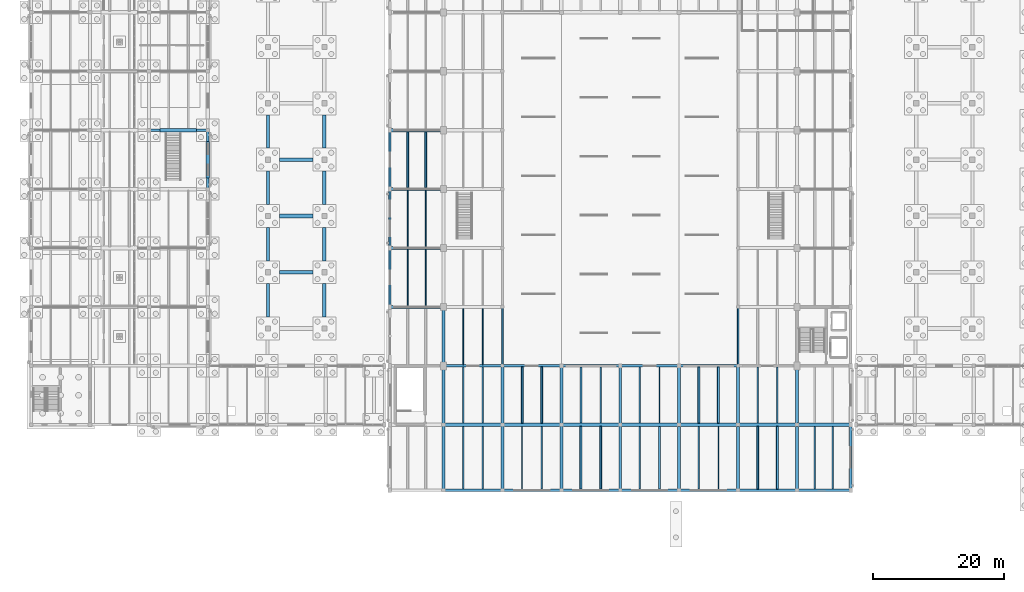
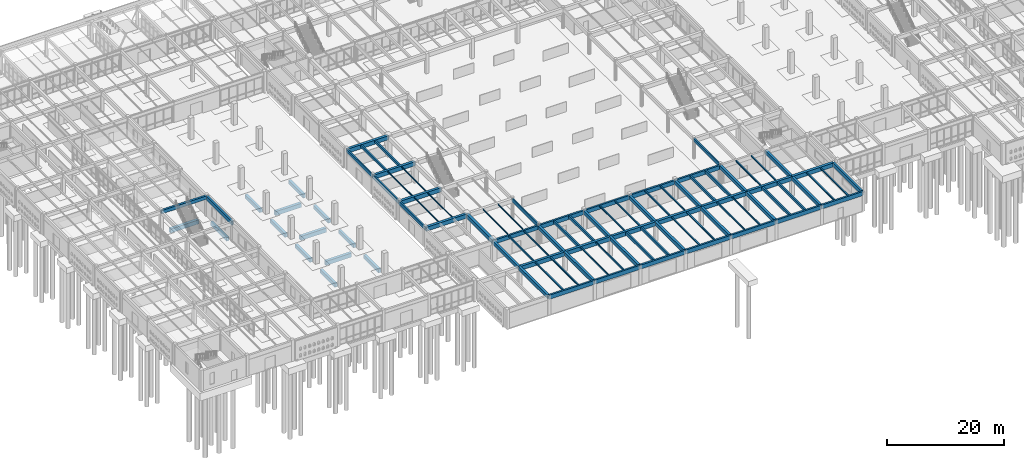
# One storey, part 44 of 186: 93 beams.
"""IFC4 building model written with IfcOpenShell, lengths in metres."""

import ifcopenshell
import ifcopenshell.guid

model = None  # the IFC model being written
_history = None  # IfcOwnerHistory: only IFC2X3 demands one
_inside = {}  # id of a spatial element -> (the spatial element, [elements in it])
_under = {}  # id of a project, library or spatial element -> (it, [spatial elements below it])
_declared = {}  # id of a project -> (the project, [libraries it declares])
_typed = {}  # id of a type object -> (the type object, [elements of that type])
_made_of = {}  # id of a material, layer set ... -> (it, [elements and type objects made of it])


def new_model(schema):
    """Start an empty IFC model of exactly this schema.

    Asked for "IFC4X3", IfcOpenShell would pick the latest addendum, in which some entities
    have other attributes; the version numbers below select the first issue.
    IFC2X3 requires an IfcOwnerHistory on every rooted entity: one is made here for all.
    """
    global model, _history
    if schema == "IFC4X3":
        model = ifcopenshell.file(schema_version=(4, 3, 0, 0))
    else:
        model = ifcopenshell.file(schema=schema)
    _inside.clear()
    _under.clear()
    _declared.clear()
    _typed.clear()
    _made_of.clear()
    _history = None
    if model.schema == "IFC2X3":
        org = make("IfcOrganization", Name="unknown")
        user = make(
            "IfcPersonAndOrganization",
            ThePerson=make("IfcPerson", FamilyName="unknown"),
            TheOrganization=org,
        )
        app = make(
            "IfcApplication",
            ApplicationDeveloper=org,
            Version="unknown",
            ApplicationFullName="unknown",
            ApplicationIdentifier="unknown",
        )
        _history = make(
            "IfcOwnerHistory",
            OwningUser=user,
            OwningApplication=app,
            ChangeAction="ADDED",
            CreationDate=0,
        )
    return model


def make(cls, **values):
    """One entity of the class cls with the attributes given. An attribute that is None is left unset."""
    return model.create_entity(
        cls, **{name: value for name, value in values.items() if value is not None}
    )


def rooted(cls, **values):
    """An entity with a GlobalId (a new one), such as an element, a storey or a relation."""
    return make(cls, GlobalId=ifcopenshell.guid.new(), OwnerHistory=_history, **values)


def si_unit(unit_type, name, prefix=None):
    """IfcSIUnit, for example si_unit("LENGTHUNIT", "METRE", prefix="MILLI")."""
    return make("IfcSIUnit", UnitType=unit_type, Prefix=prefix, Name=name)


def assignment(units):
    """IfcUnitAssignment: the units of a project."""
    return None if units is None else make("IfcUnitAssignment", Units=units)


def point(xyz):
    """IfcCartesianPoint."""
    return None if xyz is None else make("IfcCartesianPoint", Coordinates=xyz)


def direction(xyz):
    """IfcDirection."""
    return None if xyz is None else make("IfcDirection", DirectionRatios=xyz)


def frame(location, z_axis=None, x_axis=None):
    """IfcAxis2Placement3D, a coordinate frame: its origin and axes. An axis left out is left unset."""
    return make(
        "IfcAxis2Placement3D",
        Location=point(location),
        Axis=direction(z_axis),
        RefDirection=direction(x_axis),
    )


def frame_2d(location, x_axis=None):
    """IfcAxis2Placement2D, a coordinate frame in the plane: its origin and x axis."""
    return make(
        "IfcAxis2Placement2D", Location=point(location), RefDirection=direction(x_axis)
    )


def origin():
    """The frame at (0, 0, 0) with its axes left unset."""
    return frame((0.0, 0.0, 0.0))


def origin_2d():
    """The frame at (0, 0) in the plane with its x axis left unset."""
    return frame_2d((0.0, 0.0))


def place(relative_to, where):
    """IfcLocalPlacement: puts the frame where relative to a parent placement (None: the world)."""
    return make(
        "IfcLocalPlacement", PlacementRelTo=relative_to, RelativePlacement=where
    )


def context(
    kind, dimensions, precision=None, world=None, true_north=None, identifier=None
):
    """IfcGeometricRepresentationContext, for example the 3D "Model" context."""
    return make(
        "IfcGeometricRepresentationContext",
        ContextIdentifier=identifier,
        ContextType=kind,
        CoordinateSpaceDimension=dimensions,
        Precision=precision,
        WorldCoordinateSystem=world,
        TrueNorth=true_north,
    )


def subcontext(parent, identifier, kind, view, scale=None):
    """IfcGeometricRepresentationSubContext, for example "Body" below "Model"."""
    return make(
        "IfcGeometricRepresentationSubContext",
        ContextIdentifier=identifier,
        ContextType=kind,
        ParentContext=parent,
        TargetScale=scale,
        TargetView=view,
    )


def project(units=None, contexts=None):
    """IfcProject with its units and contexts."""
    return rooted(
        "IfcProject",
        Name="project",
        RepresentationContexts=contexts,
        UnitsInContext=assignment(units),
    )


def spatial(cls, under=None, at=None, **own):
    """A site, building, storey or space (cls), placed at a placement, below another one or the project."""
    s = rooted(cls, ObjectPlacement=at, **own)
    if under is not None:
        _under.setdefault(under.id(), (under, []))[1].append(s)
    return s


def profile(cls, at=None, kind="AREA", **sizes):
    """A parametric profile (cls). Its sizes go by their IFC names, for example OverallWidth=200.0."""
    return make(cls, ProfileType=kind, Position=at, **sizes)


def rectangle(**sizes):
    """IfcRectangleProfileDef."""
    return profile("IfcRectangleProfileDef", **sizes)


def hollow_rectangle(**sizes):
    """IfcRectangleHollowProfileDef."""
    return profile("IfcRectangleHollowProfileDef", **sizes)


def i_section(**sizes):
    """IfcIShapeProfileDef."""
    return profile("IfcIShapeProfileDef", **sizes)


def extrude(swept, where, along, depth):
    """IfcExtrudedAreaSolid: the profile swept, set in the frame where, extruded along a direction by depth."""
    return make(
        "IfcExtrudedAreaSolid",
        SweptArea=swept,
        Position=where,
        ExtrudedDirection=direction(along),
        Depth=depth,
    )


def shape(context_of_items, identifier, shape_type, items):
    """IfcShapeRepresentation: the items that make up one representation, for example the "Body"."""
    return make(
        "IfcShapeRepresentation",
        ContextOfItems=context_of_items,
        RepresentationIdentifier=identifier,
        RepresentationType=shape_type,
        Items=items,
    )


def material(Name=None, Category=None):
    """IfcMaterial."""
    return make("IfcMaterial", Name=Name, Category=Category)


def material_profile(
    of_material, cross_section, Name=None, Category=None, Priority=None
):
    """IfcMaterialProfile: a cross section and its material."""
    return make(
        "IfcMaterialProfile",
        Name=Name,
        Material=of_material,
        Profile=cross_section,
        Priority=Priority,
        Category=Category,
    )


def profile_set(profiles, Name=None, composite=None):
    """IfcMaterialProfileSet."""
    return make(
        "IfcMaterialProfileSet",
        Name=Name,
        MaterialProfiles=profiles,
        CompositeProfile=composite,
    )


def made_of(thing, what):
    """Note that an element or type object is made of a material, layer set ...; save() writes the relation."""
    if what is not None:
        _made_of.setdefault(what.id(), (what, []))[1].append(thing)
    return thing


def type_object(cls, material=None, **own):
    """A type object (cls), such as IfcWallType, which elements share."""
    return made_of(rooted(cls, **own), material)


def element(
    cls,
    number,
    at=None,
    inside=None,
    cuts=None,
    type_object=None,
    material=None,
    context=None,
    identifier="Body",
    shape_type=None,
    held_by="IfcProductDefinitionShape",
    body=None,
    shapes=None,
    **own,
):
    """One element of the class cls, such as IfcWall. Its Tag is "e" and its number.

    at: its placement. inside: the storey or other place that contains it. cuts: it is an
    opening in that element (IfcRelVoidsElement). A single representation is given by context,
    identifier, shape_type and body (its items); several are given by shapes. held_by: the class
    of the entity that holds the representations. save() writes the other relations.
    """
    e = rooted(cls, Tag="e%d" % number, ObjectPlacement=at, **own)
    if body is not None:
        shapes = [shape(context, identifier, shape_type, body)]
    if shapes is not None:
        e.Representation = make(held_by, Representations=shapes)
    if inside is not None:
        _inside.setdefault(inside.id(), (inside, []))[1].append(e)
    if cuts is not None:
        rooted(
            "IfcRelVoidsElement", RelatingBuildingElement=cuts, RelatedOpeningElement=e
        )
    if type_object is not None:
        _typed.setdefault(type_object.id(), (type_object, []))[1].append(e)
    return made_of(e, material)


def aggregate(whole, parts):
    """IfcRelAggregates: a whole, such as a stair, and the parts it consists of."""
    return rooted("IfcRelAggregates", RelatingObject=whole, RelatedObjects=parts)


def save(model, path):
    """Write the relations noted so far, then the file.

    IfcRelAggregates (storeys below a building ...), IfcRelContainedInSpatialStructure (elements
    in a storey), IfcRelDefinesByType, IfcRelAssociatesMaterial and IfcRelDeclares: one each for
    every whole, place, type object, material and project.
    """
    for whole, parts in _under.values():
        aggregate(whole, parts)
    for where, things in _inside.values():
        rooted(
            "IfcRelContainedInSpatialStructure",
            RelatedElements=things,
            RelatingStructure=where,
        )
    for kind, things in _typed.values():
        rooted("IfcRelDefinesByType", RelatedObjects=things, RelatingType=kind)
    for what, things in _made_of.values():
        rooted("IfcRelAssociatesMaterial", RelatedObjects=things, RelatingMaterial=what)
    for by, libraries in _declared.values():
        rooted("IfcRelDeclares", RelatingContext=by, RelatedDefinitions=libraries)
    model.write(path)


model = new_model("IFC4")

# Units and contexts
model_context = context("Model", 3, precision=1e-05, world=origin(), true_north=direction((0.0, 1.0)))
body_context = subcontext(model_context, "Body", "Model", "MODEL_VIEW")
ifc_project = project(units=[si_unit("LENGTHUNIT", "METRE"), si_unit("AREAUNIT", "SQUARE_METRE"), si_unit("VOLUMEUNIT", "CUBIC_METRE"), si_unit("PLANEANGLEUNIT", "RADIAN"), si_unit("MASSUNIT", "GRAM", prefix="KILO")], contexts=[model_context])

# Site, building, storey
site_placement = place(None, origin())
site = spatial("IfcSite", under=ifc_project, at=site_placement, CompositionType="ELEMENT")
building_placement = place(site_placement, origin())
building = spatial("IfcBuilding", under=site, at=building_placement, Name="Ornek Quay Market", CompositionType="ELEMENT")
storey_placement = place(building_placement, origin())
storey = spatial("IfcBuildingStorey", under=building, at=storey_placement, Name="L00", CompositionType="ELEMENT", Elevation=0.0)

# Beams
ifc_material_1 = material(Name="Concrete C40/50", Category="concrete")
ifc_material_profile_1 = material_profile(ifc_material_1, rectangle(XDim=0.449951171875, YDim=0.75, at=origin_2d()), Name="RC 450x750", Category="concrete")
ifc_profile_set_1 = profile_set([ifc_material_profile_1], Name="Concrete C40/50")
beam_type_1 = type_object("IfcBeamType", Name="BM-FC-450x750", PredefinedType="BEAM", material=ifc_profile_set_1)
beam_1_placement = place(storey_placement, frame((63.0, 10.0, 3.68505859375), z_axis=(0.0, 1.0, 0.0), x_axis=(-1.0, 0.0, 0.0)))
element("IfcBeam", 1, at=beam_1_placement, inside=storey, type_object=beam_type_1, Name="Primary beam B-FC1-001", PredefinedType="BEAM", context=body_context, shape_type="SweptSolid", body=[
    extrude(rectangle(XDim=0.449951171875, YDim=0.75, at=origin_2d()), origin(), (0.0, 0.0, 1.0), 10.0),
])
beam_2_placement = place(storey_placement, frame((63.0, 20.0, 3.68505859375), z_axis=(0.0, 1.0, 0.0), x_axis=(-1.0, 0.0, 0.0)))
element("IfcBeam", 2, at=beam_2_placement, inside=storey, type_object=beam_type_1, Name="Primary beam B-FC1-002", PredefinedType="BEAM", context=body_context, shape_type="SweptSolid", body=[
    extrude(rectangle(XDim=0.449951171875, YDim=0.75, at=origin_2d()), origin(), (0.0, 0.0, 1.0), 9.0),
])
beam_3_placement = place(storey_placement, frame((72.0, 10.0, 3.68505859375), z_axis=(0.0, 1.0, 0.0), x_axis=(-1.0, 0.0, 0.0)))
element("IfcBeam", 3, at=beam_3_placement, inside=storey, type_object=beam_type_1, Name="Primary beam B-FC1-003", PredefinedType="BEAM", context=body_context, shape_type="SweptSolid", body=[
    extrude(rectangle(XDim=0.449951171875, YDim=0.75, at=origin_2d()), origin(), (0.0, 0.0, 1.0), 10.0),
])
beam_4_placement = place(storey_placement, frame((72.0, 20.0, 3.68505859375), z_axis=(0.0, 1.0, 0.0), x_axis=(-1.0, 0.0, 0.0)))
element("IfcBeam", 4, at=beam_4_placement, inside=storey, type_object=beam_type_1, Name="Primary beam B-FC1-004", PredefinedType="BEAM", context=body_context, shape_type="SweptSolid", body=[
    extrude(rectangle(XDim=0.449951171875, YDim=0.75, at=origin_2d()), origin(), (0.0, 0.0, 1.0), 9.0),
])
beam_5_placement = place(storey_placement, frame((81.0, 10.0, 3.68505859375), z_axis=(0.0, 1.0, 0.0), x_axis=(-1.0, 0.0, 0.0)))
element("IfcBeam", 5, at=beam_5_placement, inside=storey, type_object=beam_type_1, Name="Primary beam B-FC1-005", PredefinedType="BEAM", context=body_context, shape_type="SweptSolid", body=[
    extrude(rectangle(XDim=0.449951171875, YDim=0.75, at=origin_2d()), origin(), (0.0, 0.0, 1.0), 10.0),
])
beam_6_placement = place(storey_placement, frame((81.0, 20.0, 3.68505859375), z_axis=(0.0, 1.0, 0.0), x_axis=(-1.0, 0.0, 0.0)))
element("IfcBeam", 6, at=beam_6_placement, inside=storey, type_object=beam_type_1, Name="Primary beam B-FC1-006", PredefinedType="BEAM", context=body_context, shape_type="SweptSolid", body=[
    extrude(rectangle(XDim=0.449951171875, YDim=0.75, at=origin_2d()), origin(), (0.0, 0.0, 1.0), 9.0),
])
beam_7_placement = place(storey_placement, frame((90.0, 10.0, 3.68505859375), z_axis=(0.0, 1.0, 0.0), x_axis=(-1.0, 0.0, 0.0)))
element("IfcBeam", 7, at=beam_7_placement, inside=storey, type_object=beam_type_1, Name="Primary beam B-FC1-007", PredefinedType="BEAM", context=body_context, shape_type="SweptSolid", body=[
    extrude(rectangle(XDim=0.449951171875, YDim=0.75, at=origin_2d()), origin(), (0.0, 0.0, 1.0), 10.0),
])
beam_8_placement = place(storey_placement, frame((90.0, 20.0, 3.68505859375), z_axis=(0.0, 1.0, 0.0), x_axis=(-1.0, 0.0, 0.0)))
element("IfcBeam", 8, at=beam_8_placement, inside=storey, type_object=beam_type_1, Name="Primary beam B-FC1-008", PredefinedType="BEAM", context=body_context, shape_type="SweptSolid", body=[
    extrude(rectangle(XDim=0.449951171875, YDim=0.75, at=origin_2d()), origin(), (0.0, 0.0, 1.0), 9.0),
])
beam_9_placement = place(storey_placement, frame((99.0, 10.0, 3.68505859375), z_axis=(0.0, 1.0, 0.0), x_axis=(-1.0, 0.0, 0.0)))
element("IfcBeam", 9, at=beam_9_placement, inside=storey, type_object=beam_type_1, Name="Primary beam B-FC1-009", PredefinedType="BEAM", context=body_context, shape_type="SweptSolid", body=[
    extrude(rectangle(XDim=0.449951171875, YDim=0.75, at=origin_2d()), origin(), (0.0, 0.0, 1.0), 10.0),
])
beam_10_placement = place(storey_placement, frame((99.0, 20.0, 3.68505859375), z_axis=(0.0, 1.0, 0.0), x_axis=(-1.0, 0.0, 0.0)))
element("IfcBeam", 10, at=beam_10_placement, inside=storey, type_object=beam_type_1, Name="Primary beam B-FC1-010", PredefinedType="BEAM", context=body_context, shape_type="SweptSolid", body=[
    extrude(rectangle(XDim=0.449951171875, YDim=0.75, at=origin_2d()), origin(), (0.0, 0.0, 1.0), 9.0),
])
beam_11_placement = place(storey_placement, frame((108.0, 10.0, 3.68505859375), z_axis=(0.0, 1.0, 0.0), x_axis=(-1.0, 0.0, 0.0)))
element("IfcBeam", 11, at=beam_11_placement, inside=storey, type_object=beam_type_1, Name="Primary beam B-FC1-011", PredefinedType="BEAM", context=body_context, shape_type="SweptSolid", body=[
    extrude(rectangle(XDim=0.449951171875, YDim=0.75, at=origin_2d()), origin(), (0.0, 0.0, 1.0), 10.0),
])
beam_12_placement = place(storey_placement, frame((108.0, 20.0, 3.68505859375), z_axis=(0.0, 1.0, 0.0), x_axis=(-1.0, 0.0, 0.0)))
element("IfcBeam", 12, at=beam_12_placement, inside=storey, type_object=beam_type_1, Name="Primary beam B-FC1-012", PredefinedType="BEAM", context=body_context, shape_type="SweptSolid", body=[
    extrude(rectangle(XDim=0.449951171875, YDim=0.75, at=origin_2d()), origin(), (0.0, 0.0, 1.0), 9.0),
])
beam_13_placement = place(storey_placement, frame((117.0, 10.0, 3.68505859375), z_axis=(0.0, 1.0, 0.0), x_axis=(-1.0, 0.0, 0.0)))
element("IfcBeam", 13, at=beam_13_placement, inside=storey, type_object=beam_type_1, Name="Primary beam B-FC1-013", PredefinedType="BEAM", context=body_context, shape_type="SweptSolid", body=[
    extrude(rectangle(XDim=0.449951171875, YDim=0.75, at=origin_2d()), origin(), (0.0, 0.0, 1.0), 10.0),
])
beam_14_placement = place(storey_placement, frame((117.0, 20.0, 3.68505859375), z_axis=(0.0, 1.0, 0.0), x_axis=(-1.0, 0.0, 0.0)))
element("IfcBeam", 14, at=beam_14_placement, inside=storey, type_object=beam_type_1, Name="Primary beam B-FC1-014", PredefinedType="BEAM", context=body_context, shape_type="SweptSolid", body=[
    extrude(rectangle(XDim=0.449951171875, YDim=0.75, at=origin_2d()), origin(), (0.0, 0.0, 1.0), 9.0),
])
ifc_material_profile_2 = material_profile(ifc_material_1, rectangle(XDim=0.5, YDim=0.85009765625, at=origin_2d()), Name="RC 500x850", Category="concrete")
ifc_profile_set_2 = profile_set([ifc_material_profile_2], Name="Concrete C40/50")
beam_type_2 = type_object("IfcBeamType", Name="BM-GAL-500x850", PredefinedType="BEAM", material=ifc_profile_set_2)
for number, where, z_axis, x_axis, name in (
    (15, (63.0, 20.0, 3.635009765625), (1.0, 0.0, 0.0), (0.0, 1.0, 0.0), "Primary beam B-GL1-002"),
    (16, (72.0, 20.0, 3.635009765625), (1.0, 0.0, 0.0), (0.0, 1.0, 0.0), "Primary beam B-GL1-003"),
    (17, (81.0, 20.0, 3.635009765625), (1.0, 0.0, 0.0), (0.0, 1.0, 0.0), "Primary beam B-GL1-004"),
    (18, (90.0, 20.0, 3.635009765625), (1.0, 0.0, 0.0), (0.0, 1.0, 0.0), "Primary beam B-GL1-005"),
    (19, (99.0, 20.0, 3.635009765625), (1.0, 0.0, 0.0), (0.0, 1.0, 0.0), "Primary beam B-GL1-006"),
    (20, (108.0, 20.0, 3.635009765625), (1.0, 0.0, 0.0), (0.0, 1.0, 0.0), "Primary beam B-GL1-007"),
):
    element("IfcBeam", number, at=place(storey_placement, frame(where, z_axis=z_axis, x_axis=x_axis)), inside=storey, type_object=beam_type_2, Name=name, PredefinedType="BEAM", context=body_context, shape_type="SweptSolid", body=[
        extrude(rectangle(XDim=0.5, YDim=0.85009765625, at=origin_2d()), origin(), (0.0, 0.0, 1.0), 9.0),
    ])
for number, where, z_axis, x_axis, name in (
    (21, (117.0, 20.0, 3.635009765625), (1.0, 0.0, 0.0), (0.0, 1.0, 0.0), "Primary beam B-GL1-008"),
    (22, (54.800048828125, 38.0, 3.81494140625), (1.0, 0.0, 0.0), (0.0, 1.0, 0.0), "Primary beam B-GL1-009"),
    (23, (54.800048828125, 47.0, 3.81494140625), (1.0, 0.0, 0.0), (0.0, 1.0, 0.0), "Primary beam B-GL1-011"),
    (24, (54.800048828125, 56.0, 3.81494140625), (1.0, 0.0, 0.0), (0.0, 1.0, 0.0), "Primary beam B-GL1-013"),
    (25, (54.800048828125, 65.0, 3.81494140625), (1.0, 0.0, 0.0), (0.0, 1.0, 0.0), "Primary beam B-GL1-015"),
):
    element("IfcBeam", number, at=place(storey_placement, frame(where, z_axis=z_axis, x_axis=x_axis)), inside=storey, type_object=beam_type_2, Name=name, PredefinedType="BEAM", context=body_context, shape_type="SweptSolid", body=[
        extrude(rectangle(XDim=0.5, YDim=0.85009765625, at=origin_2d()), origin(), (0.0, 0.0, 1.0), 8.199951171875),
    ])
beam_15_placement = place(storey_placement, frame((63.0, 29.0, 3.81494140625), z_axis=(0.0, 1.0, 0.0), x_axis=(-1.0, 0.0, 0.0)))
element("IfcBeam", 26, at=beam_15_placement, inside=storey, type_object=beam_type_2, Name="Primary beam B-GL1-021", PredefinedType="BEAM", context=body_context, shape_type="SweptSolid", body=[
    extrude(rectangle(XDim=0.5, YDim=0.85009765625, at=origin_2d()), origin(), (0.0, 0.0, 1.0), 9.0),
])
ifc_material_2 = material(Name="Concrete C35/45", Category="concrete")
ifc_material_profile_3 = material_profile(ifc_material_2, rectangle(XDim=0.5, YDim=0.75, at=origin_2d()), Name="RC 500x750", Category="concrete")
ifc_profile_set_3 = profile_set([ifc_material_profile_3], Name="Concrete C35/45")
beam_type_3 = type_object("IfcBeamType", Name="BM-GB-500x750", PredefinedType="BEAM", material=ifc_profile_set_3)
beam_16_placement = place(storey_placement, frame((27.0, 57.699951171875, -0.574951171875), z_axis=(0.0, 1.0, 0.0), x_axis=(-1.0, 0.0, 0.0)))
element("IfcBeam", 27, at=beam_16_placement, inside=storey, type_object=beam_type_3, Name="Ground tie beam GB-081", PredefinedType="BEAM", context=body_context, shape_type="SweptSolid", body=[
    extrude(rectangle(XDim=0.5, YDim=0.75, at=origin_2d()), origin(), (0.0, 0.0, 1.0), 5.60009765625),
])
beam_17_placement = place(storey_placement, frame((36.199951171875, 36.449951171875, -0.574951171875), z_axis=(0.0, 1.0, 0.0), x_axis=(-1.0, 0.0, 0.0)))
element("IfcBeam", 28, at=beam_17_placement, inside=storey, type_object=beam_type_3, Name="Ground tie beam GB-093", PredefinedType="BEAM", context=body_context, shape_type="SweptSolid", body=[
    extrude(rectangle(XDim=0.5, YDim=0.75, at=origin_2d()), origin(), (0.0, 0.0, 1.0), 5.10009765625),
])
beam_18_placement = place(storey_placement, frame((36.199951171875, 45.050048828125, -0.574951171875), z_axis=(0.0, 1.0, 0.0), x_axis=(-1.0, 0.0, 0.0)))
element("IfcBeam", 29, at=beam_18_placement, inside=storey, type_object=beam_type_3, Name="Ground tie beam GB-094", PredefinedType="BEAM", context=body_context, shape_type="SweptSolid", body=[
    extrude(rectangle(XDim=0.5, YDim=0.75, at=origin_2d()), origin(), (0.0, 0.0, 1.0), 5.099853515625),
])
for number, where, z_axis, x_axis, name in (
    (30, (36.199951171875, 53.64990234375, -0.574951171875), (0.0, 1.0, 0.0), (-1.0, 0.0, 0.0), "Ground tie beam GB-095"),
    (31, (36.199951171875, 62.25, -0.574951171875), (0.0, 1.0, 0.0), (-1.0, 0.0, 0.0), "Ground tie beam GB-096"),
    (32, (44.800048828125, 36.449951171875, -0.574951171875), (0.0, 1.0, 0.0), (-1.0, 0.0, 0.0), "Ground tie beam GB-099"),
):
    element("IfcBeam", number, at=place(storey_placement, frame(where, z_axis=z_axis, x_axis=x_axis)), inside=storey, type_object=beam_type_3, Name=name, PredefinedType="BEAM", context=body_context, shape_type="SweptSolid", body=[
        extrude(rectangle(XDim=0.5, YDim=0.75, at=origin_2d()), origin(), (0.0, 0.0, 1.0), 5.10009765625),
    ])
beam_19_placement = place(storey_placement, frame((44.800048828125, 45.050048828125, -0.574951171875), z_axis=(0.0, 1.0, 0.0), x_axis=(-1.0, 0.0, 0.0)))
element("IfcBeam", 33, at=beam_19_placement, inside=storey, type_object=beam_type_3, Name="Ground tie beam GB-100", PredefinedType="BEAM", context=body_context, shape_type="SweptSolid", body=[
    extrude(rectangle(XDim=0.5, YDim=0.75, at=origin_2d()), origin(), (0.0, 0.0, 1.0), 5.099853515625),
])
for number, where, z_axis, x_axis, name in (
    (34, (44.800048828125, 53.64990234375, -0.574951171875), (0.0, 1.0, 0.0), (-1.0, 0.0, 0.0), "Ground tie beam GB-101"),
    (35, (44.800048828125, 62.25, -0.574951171875), (0.0, 1.0, 0.0), (-1.0, 0.0, 0.0), "Ground tie beam GB-102"),
):
    element("IfcBeam", number, at=place(storey_placement, frame(where, z_axis=z_axis, x_axis=x_axis)), inside=storey, type_object=beam_type_3, Name=name, PredefinedType="BEAM", context=body_context, shape_type="SweptSolid", body=[
        extrude(rectangle(XDim=0.5, YDim=0.75, at=origin_2d()), origin(), (0.0, 0.0, 1.0), 5.10009765625),
    ])
ifc_material_profile_4 = material_profile(ifc_material_2, rectangle(XDim=0.550048828125, YDim=0.85009765625, at=origin_2d()), Name="RC 550x850", Category="concrete")
ifc_profile_set_4 = profile_set([ifc_material_profile_4], Name="Concrete C35/45")
beam_type_4 = type_object("IfcBeamType", Name="BM-GB-550x850", PredefinedType="BEAM", material=ifc_profile_set_4)
for number, where, z_axis, x_axis, name in (
    (36, (37.949951171875, 43.300048828125, -0.625), (1.0, 0.0, 0.0), (0.0, 1.0, 0.0), "Ground tie beam GB-013"),
    (37, (37.949951171875, 51.89990234375, -0.625), (1.0, 0.0, 0.0), (0.0, 1.0, 0.0), "Ground tie beam GB-017"),
    (38, (37.949951171875, 60.5, -0.625), (1.0, 0.0, 0.0), (0.0, 1.0, 0.0), "Ground tie beam GB-021"),
):
    element("IfcBeam", number, at=place(storey_placement, frame(where, z_axis=z_axis, x_axis=x_axis)), inside=storey, type_object=beam_type_4, Name=name, PredefinedType="BEAM", context=body_context, shape_type="SweptSolid", body=[
        extrude(rectangle(XDim=0.550048828125, YDim=0.85009765625, at=origin_2d()), origin(), (0.0, 0.0, 1.0), 5.10009765625),
    ])
beam_20_placement = place(storey_placement, frame((19.699951171875, 65.0, -0.625), z_axis=(1.0, 0.0, 0.0), x_axis=(0.0, 1.0, 0.0)))
element("IfcBeam", 39, at=beam_20_placement, inside=storey, type_object=beam_type_4, Name="Ground tie beam GB-024", PredefinedType="BEAM", context=body_context, shape_type="SweptSolid", body=[
    extrude(rectangle(XDim=0.550048828125, YDim=0.85009765625, at=origin_2d()), origin(), (0.0, 0.0, 1.0), 5.60009765625),
])
ifc_material_3 = material(Name="Steel S355", Category="steel")
ifc_material_profile_5 = material_profile(ifc_material_3, hollow_rectangle(XDim=0.199951171875, YDim=0.300048828125, WallThickness=0.011962890625, at=origin_2d()), Name="RHS 300x200x12", Category="steel")
ifc_profile_set_5 = profile_set([ifc_material_profile_5], Name="Steel S355")
beam_type_5 = type_object("IfcBeamType", Name="BM-RHS-RHS300x200x12", PredefinedType="BEAM", material=ifc_profile_set_5)
for number, where, z_axis, x_axis, name in (
    (40, (66.0, 20.241943359375, 3.909912109375), (0.0, 1.0, 0.0), (-1.0, 0.0, 0.0), "Secondary joist SR-06-001"),
    (41, (69.0, 20.241943359375, 3.909912109375), (0.0, 1.0, 0.0), (-1.0, 0.0, 0.0), "Secondary joist SR-06-002"),
):
    element("IfcBeam", number, at=place(storey_placement, frame(where, z_axis=z_axis, x_axis=x_axis)), inside=storey, type_object=beam_type_5, Name=name, PredefinedType="BEAM", context=body_context, shape_type="SweptSolid", body=[
        extrude(hollow_rectangle(XDim=0.199951171875, YDim=0.300048828125, WallThickness=0.011962890625, at=origin_2d()), origin(), (0.0, 0.0, 1.0), 8.591064453125),
    ])
for number, where, z_axis, x_axis, name in (
    (42, (75.0, 10.1669921875, 3.909912109375), (0.0, 1.0, 0.0), (-1.0, 0.0, 0.0), "Secondary joist SR-06-003"),
    (43, (78.0, 10.1669921875, 3.909912109375), (0.0, 1.0, 0.0), (-1.0, 0.0, 0.0), "Secondary joist SR-06-004"),
):
    element("IfcBeam", number, at=place(storey_placement, frame(where, z_axis=z_axis, x_axis=x_axis)), inside=storey, type_object=beam_type_5, Name=name, PredefinedType="BEAM", context=body_context, shape_type="SweptSolid", body=[
        extrude(hollow_rectangle(XDim=0.199951171875, YDim=0.300048828125, WallThickness=0.011962890625, at=origin_2d()), origin(), (0.0, 0.0, 1.0), 9.591064453125),
    ])
for number, where, z_axis, x_axis, name in (
    (44, (93.0, 20.241943359375, 3.909912109375), (0.0, 1.0, 0.0), (-1.0, 0.0, 0.0), "Secondary joist SR-06-005"),
    (45, (96.0, 20.241943359375, 3.909912109375), (0.0, 1.0, 0.0), (-1.0, 0.0, 0.0), "Secondary joist SR-06-006"),
):
    element("IfcBeam", number, at=place(storey_placement, frame(where, z_axis=z_axis, x_axis=x_axis)), inside=storey, type_object=beam_type_5, Name=name, PredefinedType="BEAM", context=body_context, shape_type="SweptSolid", body=[
        extrude(hollow_rectangle(XDim=0.199951171875, YDim=0.300048828125, WallThickness=0.011962890625, at=origin_2d()), origin(), (0.0, 0.0, 1.0), 8.591064453125),
    ])
for number, where, z_axis, x_axis, name in (
    (46, (102.0, 10.1669921875, 3.909912109375), (0.0, 1.0, 0.0), (-1.0, 0.0, 0.0), "Secondary joist SR-06-007"),
    (47, (105.0, 10.1669921875, 3.909912109375), (0.0, 1.0, 0.0), (-1.0, 0.0, 0.0), "Secondary joist SR-06-008"),
):
    element("IfcBeam", number, at=place(storey_placement, frame(where, z_axis=z_axis, x_axis=x_axis)), inside=storey, type_object=beam_type_5, Name=name, PredefinedType="BEAM", context=body_context, shape_type="SweptSolid", body=[
        extrude(hollow_rectangle(XDim=0.199951171875, YDim=0.300048828125, WallThickness=0.011962890625, at=origin_2d()), origin(), (0.0, 0.0, 1.0), 9.591064453125),
    ])
ifc_material_profile_6 = material_profile(ifc_material_2, rectangle(XDim=0.280029296875, YDim=0.5, at=origin_2d()), Name="RC 280x500", Category="concrete")
ifc_profile_set_6 = profile_set([ifc_material_profile_6], Name="Concrete C35/45")
beam_type_6 = type_object("IfcBeamType", Name="BM-SEC-280x500", PredefinedType="JOIST", material=ifc_profile_set_6)
for number, where, z_axis, x_axis, name in (
    (48, (57.533203125, 56.241943359375, 3.989990234375), (0.0, 1.0, 0.0), (-1.0, 0.0, 0.0), "Secondary joist B-SC2-041"),
    (49, (60.2666015625, 56.241943359375, 3.989990234375), (0.0, 1.0, 0.0), (-1.0, 0.0, 0.0), "Secondary joist B-SC2-042"),
):
    element("IfcBeam", number, at=place(storey_placement, frame(where, z_axis=z_axis, x_axis=x_axis)), inside=storey, type_object=beam_type_6, Name=name, PredefinedType="JOIST", context=body_context, shape_type="SweptSolid", body=[
        extrude(rectangle(XDim=0.280029296875, YDim=0.5, at=origin_2d()), origin(), (0.0, 0.0, 1.0), 8.51611328125),
    ])
ifc_material_profile_7 = material_profile(ifc_material_2, rectangle(XDim=0.300048828125, YDim=0.550048828125, at=origin_2d()), Name="RC 300x550", Category="concrete")
ifc_profile_set_7 = profile_set([ifc_material_profile_7], Name="Concrete C35/45")
beam_type_7 = type_object("IfcBeamType", Name="BM-SEC-300x550", PredefinedType="JOIST", material=ifc_profile_set_7)
for number, where, z_axis, x_axis, name in (
    (50, (75.0, 20.241943359375, 3.784912109375), (0.0, 1.0, 0.0), (-1.0, 0.0, 0.0), "Secondary joist B-SC1-035"),
    (51, (78.0, 20.241943359375, 3.784912109375), (0.0, 1.0, 0.0), (-1.0, 0.0, 0.0), "Secondary joist B-SC1-036"),
):
    element("IfcBeam", number, at=place(storey_placement, frame(where, z_axis=z_axis, x_axis=x_axis)), inside=storey, type_object=beam_type_7, Name=name, PredefinedType="JOIST", context=body_context, shape_type="SweptSolid", body=[
        extrude(rectangle(XDim=0.300048828125, YDim=0.550048828125, at=origin_2d()), origin(), (0.0, 0.0, 1.0), 8.591064453125),
    ])
for number, where, z_axis, x_axis, name in (
    (52, (84.0, 10.1669921875, 3.784912109375), (0.0, 1.0, 0.0), (-1.0, 0.0, 0.0), "Secondary joist B-SC1-037"),
    (53, (87.0, 10.1669921875, 3.784912109375), (0.0, 1.0, 0.0), (-1.0, 0.0, 0.0), "Secondary joist B-SC1-038"),
):
    element("IfcBeam", number, at=place(storey_placement, frame(where, z_axis=z_axis, x_axis=x_axis)), inside=storey, type_object=beam_type_7, Name=name, PredefinedType="JOIST", context=body_context, shape_type="SweptSolid", body=[
        extrude(rectangle(XDim=0.300048828125, YDim=0.550048828125, at=origin_2d()), origin(), (0.0, 0.0, 1.0), 9.591064453125),
    ])
for number, where, z_axis, x_axis, name in (
    (54, (102.0, 20.241943359375, 3.784912109375), (0.0, 1.0, 0.0), (-1.0, 0.0, 0.0), "Secondary joist B-SC1-039"),
    (55, (105.0, 20.241943359375, 3.784912109375), (0.0, 1.0, 0.0), (-1.0, 0.0, 0.0), "Secondary joist B-SC1-040"),
):
    element("IfcBeam", number, at=place(storey_placement, frame(where, z_axis=z_axis, x_axis=x_axis)), inside=storey, type_object=beam_type_7, Name=name, PredefinedType="JOIST", context=body_context, shape_type="SweptSolid", body=[
        extrude(rectangle(XDim=0.300048828125, YDim=0.550048828125, at=origin_2d()), origin(), (0.0, 0.0, 1.0), 8.591064453125),
    ])
for number, where, z_axis, x_axis, name in (
    (56, (111.0, 10.1669921875, 3.784912109375), (0.0, 1.0, 0.0), (-1.0, 0.0, 0.0), "Secondary joist B-SC1-041"),
    (57, (114.0, 10.1669921875, 3.784912109375), (0.0, 1.0, 0.0), (-1.0, 0.0, 0.0), "Secondary joist B-SC1-042"),
):
    element("IfcBeam", number, at=place(storey_placement, frame(where, z_axis=z_axis, x_axis=x_axis)), inside=storey, type_object=beam_type_7, Name=name, PredefinedType="JOIST", context=body_context, shape_type="SweptSolid", body=[
        extrude(rectangle(XDim=0.300048828125, YDim=0.550048828125, at=origin_2d()), origin(), (0.0, 0.0, 1.0), 9.591064453125),
    ])
ifc_material_profile_8 = material_profile(ifc_material_2, rectangle(XDim=0.280029296875, YDim=0.699951171875, at=origin_2d()), Name="RC 280x700", Category="concrete")
ifc_profile_set_8 = profile_set([ifc_material_profile_8], Name="Concrete C35/45")
beam_type_8 = type_object("IfcBeamType", Name="BM-SPN-280x700", PredefinedType="SPANDREL", material=ifc_profile_set_8)
for number, where, z_axis, x_axis, name in (
    (58, (54.800048828125, 38.0, 3.889892578125), (0.0, 1.0, 0.0), (-1.0, 0.0, 0.0), "Primary beam B-SP2-020"),
    (59, (54.800048828125, 47.0, 3.889892578125), (0.0, 1.0, 0.0), (-1.0, 0.0, 0.0), "Primary beam B-SP2-021"),
    (60, (54.800048828125, 56.0, 3.889892578125), (0.0, 1.0, 0.0), (-1.0, 0.0, 0.0), "Primary beam B-SP2-022"),
    (61, (72.0, 29.0, 3.889892578125), (0.0, 1.0, 0.0), (-1.0, 0.0, 0.0), "Primary beam B-SP2-026"),
    (62, (108.0, 29.0, 3.889892578125), (0.0, 1.0, 0.0), (-1.0, 0.0, 0.0), "Primary beam B-SP2-035"),
):
    element("IfcBeam", number, at=place(storey_placement, frame(where, z_axis=z_axis, x_axis=x_axis)), inside=storey, type_object=beam_type_8, Name=name, PredefinedType="SPANDREL", context=body_context, shape_type="SweptSolid", body=[
        extrude(rectangle(XDim=0.280029296875, YDim=0.699951171875, at=origin_2d()), origin(), (0.0, 0.0, 1.0), 9.0),
    ])
ifc_material_profile_9 = material_profile(ifc_material_1, rectangle(XDim=0.35009765625, YDim=0.85009765625, at=origin_2d()), Name="RC 350x850", Category="concrete")
ifc_profile_set_9 = profile_set([ifc_material_profile_9], Name="Concrete C40/50")
beam_type_9 = type_object("IfcBeamType", Name="BM-SPN-350x850", PredefinedType="SPANDREL", material=ifc_profile_set_9)
for number, where, z_axis, x_axis, name in (
    (63, (27.0, 56.0, 3.794921875), (0.0, 1.0, 0.0), (-1.0, 0.0, 0.0), "Primary beam B-SP1-064"),
    (64, (63.0, 10.0, 3.635009765625), (1.0, 0.0, 0.0), (0.0, 1.0, 0.0), "Primary beam B-SP1-071"),
    (65, (72.0, 10.0, 3.635009765625), (1.0, 0.0, 0.0), (0.0, 1.0, 0.0), "Primary beam B-SP1-072"),
    (66, (81.0, 10.0, 3.635009765625), (1.0, 0.0, 0.0), (0.0, 1.0, 0.0), "Primary beam B-SP1-073"),
    (67, (90.0, 10.0, 3.635009765625), (1.0, 0.0, 0.0), (0.0, 1.0, 0.0), "Primary beam B-SP1-074"),
    (68, (99.0, 10.0, 3.635009765625), (1.0, 0.0, 0.0), (0.0, 1.0, 0.0), "Primary beam B-SP1-075"),
    (69, (108.0, 10.0, 3.635009765625), (1.0, 0.0, 0.0), (0.0, 1.0, 0.0), "Primary beam B-SP1-076"),
):
    element("IfcBeam", number, at=place(storey_placement, frame(where, z_axis=z_axis, x_axis=x_axis)), inside=storey, type_object=beam_type_9, Name=name, PredefinedType="SPANDREL", context=body_context, shape_type="SweptSolid", body=[
        extrude(rectangle(XDim=0.35009765625, YDim=0.85009765625, at=origin_2d()), origin(), (0.0, 0.0, 1.0), 9.0),
    ])
beam_21_placement = place(storey_placement, frame((117.0, 10.0, 3.635009765625), z_axis=(1.0, 0.0, 0.0), x_axis=(0.0, 1.0, 0.0)))
element("IfcBeam", 70, at=beam_21_placement, inside=storey, type_object=beam_type_9, Name="Primary beam B-SP1-077", PredefinedType="SPANDREL", context=body_context, shape_type="SweptSolid", body=[
    extrude(rectangle(XDim=0.35009765625, YDim=0.85009765625, at=origin_2d()), origin(), (0.0, 0.0, 1.0), 8.199951171875),
])
for number, where, z_axis, x_axis, name in (
    (71, (63.0, 29.0, 3.635009765625), (1.0, 0.0, 0.0), (0.0, 1.0, 0.0), "Primary beam B-SP1-079"),
    (72, (72.0, 29.0, 3.635009765625), (1.0, 0.0, 0.0), (0.0, 1.0, 0.0), "Primary beam B-SP1-080"),
    (73, (81.0, 29.0, 3.635009765625), (1.0, 0.0, 0.0), (0.0, 1.0, 0.0), "Primary beam B-SP1-081"),
    (74, (90.0, 29.0, 3.635009765625), (1.0, 0.0, 0.0), (0.0, 1.0, 0.0), "Primary beam B-SP1-082"),
    (75, (99.0, 29.0, 3.635009765625), (1.0, 0.0, 0.0), (0.0, 1.0, 0.0), "Primary beam B-SP1-083"),
):
    element("IfcBeam", number, at=place(storey_placement, frame(where, z_axis=z_axis, x_axis=x_axis)), inside=storey, type_object=beam_type_9, Name=name, PredefinedType="SPANDREL", context=body_context, shape_type="SweptSolid", body=[
        extrude(rectangle(XDim=0.35009765625, YDim=0.85009765625, at=origin_2d()), origin(), (0.0, 0.0, 1.0), 9.0),
    ])
beam_22_placement = place(storey_placement, frame((125.199951171875, 10.0, 3.635009765625), z_axis=(0.0, 1.0, 0.0), x_axis=(-1.0, 0.0, 0.0)))
element("IfcBeam", 76, at=beam_22_placement, inside=storey, type_object=beam_type_9, Name="Primary beam B-SP1-088", PredefinedType="SPANDREL", context=body_context, shape_type="SweptSolid", body=[
    extrude(rectangle(XDim=0.35009765625, YDim=0.85009765625, at=origin_2d()), origin(), (0.0, 0.0, 1.0), 10.0),
])
ifc_material_profile_10 = material_profile(ifc_material_3, i_section(OverallWidth=0.239990234375, OverallDepth=0.239990234375, WebThickness=0.010009765625, FlangeThickness=0.01708984375, FilletRadius=0.02099609375, at=origin_2d()), Name="HEB 240", Category="steel")
ifc_profile_set_10 = profile_set([ifc_material_profile_10], Name="Steel S355")
beam_type_10 = type_object("IfcBeamType", Name="BM-STL-HEB240", PredefinedType="BEAM", material=ifc_profile_set_10)
for number, where, z_axis, x_axis, name in (
    (77, (66.0, 10.1669921875, 3.93994140625), (0.0, 1.0, 0.0), (-1.0, 0.0, 0.0), "Secondary joist SB-21-001"),
    (78, (69.0, 10.1669921875, 3.93994140625), (0.0, 1.0, 0.0), (-1.0, 0.0, 0.0), "Secondary joist SB-21-002"),
):
    element("IfcBeam", number, at=place(storey_placement, frame(where, z_axis=z_axis, x_axis=x_axis)), inside=storey, type_object=beam_type_10, Name=name, PredefinedType="BEAM", context=body_context, shape_type="SweptSolid", body=[
        extrude(i_section(OverallWidth=0.239990234375, OverallDepth=0.239990234375, WebThickness=0.010009765625, FlangeThickness=0.01708984375, FilletRadius=0.02099609375, at=origin_2d()), origin(), (0.0, 0.0, 1.0), 9.591064453125),
    ])
for number, where, z_axis, x_axis, name in (
    (79, (84.0, 20.241943359375, 3.93994140625), (0.0, 1.0, 0.0), (-1.0, 0.0, 0.0), "Secondary joist SB-21-003"),
    (80, (87.0, 20.241943359375, 3.93994140625), (0.0, 1.0, 0.0), (-1.0, 0.0, 0.0), "Secondary joist SB-21-004"),
):
    element("IfcBeam", number, at=place(storey_placement, frame(where, z_axis=z_axis, x_axis=x_axis)), inside=storey, type_object=beam_type_10, Name=name, PredefinedType="BEAM", context=body_context, shape_type="SweptSolid", body=[
        extrude(i_section(OverallWidth=0.239990234375, OverallDepth=0.239990234375, WebThickness=0.010009765625, FlangeThickness=0.01708984375, FilletRadius=0.02099609375, at=origin_2d()), origin(), (0.0, 0.0, 1.0), 8.591064453125),
    ])
for number, where, z_axis, x_axis, name in (
    (81, (93.0, 10.1669921875, 3.93994140625), (0.0, 1.0, 0.0), (-1.0, 0.0, 0.0), "Secondary joist SB-21-005"),
    (82, (96.0, 10.1669921875, 3.93994140625), (0.0, 1.0, 0.0), (-1.0, 0.0, 0.0), "Secondary joist SB-21-006"),
):
    element("IfcBeam", number, at=place(storey_placement, frame(where, z_axis=z_axis, x_axis=x_axis)), inside=storey, type_object=beam_type_10, Name=name, PredefinedType="BEAM", context=body_context, shape_type="SweptSolid", body=[
        extrude(i_section(OverallWidth=0.239990234375, OverallDepth=0.239990234375, WebThickness=0.010009765625, FlangeThickness=0.01708984375, FilletRadius=0.02099609375, at=origin_2d()), origin(), (0.0, 0.0, 1.0), 9.591064453125),
    ])
for number, where, z_axis, x_axis, name in (
    (83, (111.0, 20.241943359375, 3.93994140625), (0.0, 1.0, 0.0), (-1.0, 0.0, 0.0), "Secondary joist SB-21-007"),
    (84, (114.0, 20.241943359375, 3.93994140625), (0.0, 1.0, 0.0), (-1.0, 0.0, 0.0), "Secondary joist SB-21-008"),
):
    element("IfcBeam", number, at=place(storey_placement, frame(where, z_axis=z_axis, x_axis=x_axis)), inside=storey, type_object=beam_type_10, Name=name, PredefinedType="BEAM", context=body_context, shape_type="SweptSolid", body=[
        extrude(i_section(OverallWidth=0.239990234375, OverallDepth=0.239990234375, WebThickness=0.010009765625, FlangeThickness=0.01708984375, FilletRadius=0.02099609375, at=origin_2d()), origin(), (0.0, 0.0, 1.0), 8.591064453125),
    ])
for number, where, z_axis, x_axis, name in (
    (85, (119.7333984375, 10.1669921875, 3.93994140625), (0.0, 1.0, 0.0), (-1.0, 0.0, 0.0), "Secondary joist SB-21-009"),
    (86, (122.466796875, 10.1669921875, 3.93994140625), (0.0, 1.0, 0.0), (-1.0, 0.0, 0.0), "Secondary joist SB-21-010"),
):
    element("IfcBeam", number, at=place(storey_placement, frame(where, z_axis=z_axis, x_axis=x_axis)), inside=storey, type_object=beam_type_10, Name=name, PredefinedType="BEAM", context=body_context, shape_type="SweptSolid", body=[
        extrude(i_section(OverallWidth=0.239990234375, OverallDepth=0.239990234375, WebThickness=0.010009765625, FlangeThickness=0.01708984375, FilletRadius=0.02099609375, at=origin_2d()), origin(), (0.0, 0.0, 1.0), 9.591064453125),
    ])
ifc_material_profile_11 = material_profile(ifc_material_3, i_section(OverallWidth=0.1201171875, OverallDepth=0.239990234375, WebThickness=0.006103515625, FlangeThickness=0.009765625, FilletRadius=0.014892578125, at=origin_2d()), Name="IPE 240", Category="steel")
ifc_profile_set_11 = profile_set([ifc_material_profile_11], Name="Steel S355")
beam_type_11 = type_object("IfcBeamType", Name="BM-STL-IPE240", PredefinedType="JOIST", material=ifc_profile_set_11)
for number, where, z_axis, x_axis, name in (
    (87, (57.533203125, 38.241943359375, 4.1201171875), (0.0, 1.0, 0.0), (-1.0, 0.0, 0.0), "Secondary joist SB-04-017"),
    (88, (60.2666015625, 38.241943359375, 4.1201171875), (0.0, 1.0, 0.0), (-1.0, 0.0, 0.0), "Secondary joist SB-04-018"),
):
    element("IfcBeam", number, at=place(storey_placement, frame(where, z_axis=z_axis, x_axis=x_axis)), inside=storey, type_object=beam_type_11, Name=name, PredefinedType="JOIST", context=body_context, shape_type="SweptSolid", body=[
        extrude(i_section(OverallWidth=0.1201171875, OverallDepth=0.239990234375, WebThickness=0.006103515625, FlangeThickness=0.009765625, FilletRadius=0.014892578125, at=origin_2d()), origin(), (0.0, 0.0, 1.0), 8.51611328125),
    ])
for number, where, z_axis, x_axis, name in (
    (89, (66.0, 29.1669921875, 4.1201171875), (0.0, 1.0, 0.0), (-1.0, 0.0, 0.0), "Secondary joist SB-04-021"),
    (90, (69.0, 29.1669921875, 4.1201171875), (0.0, 1.0, 0.0), (-1.0, 0.0, 0.0), "Secondary joist SB-04-022"),
):
    element("IfcBeam", number, at=place(storey_placement, frame(where, z_axis=z_axis, x_axis=x_axis)), inside=storey, type_object=beam_type_11, Name=name, PredefinedType="JOIST", context=body_context, shape_type="SweptSolid", body=[
        extrude(i_section(OverallWidth=0.1201171875, OverallDepth=0.239990234375, WebThickness=0.006103515625, FlangeThickness=0.009765625, FilletRadius=0.014892578125, at=origin_2d()), origin(), (0.0, 0.0, 1.0), 8.591064453125),
    ])
ifc_material_profile_12 = material_profile(ifc_material_3, i_section(OverallWidth=0.135009765625, OverallDepth=0.27001953125, WebThickness=0.006591796875, FlangeThickness=0.01025390625, FilletRadius=0.014892578125, at=origin_2d()), Name="IPE 270", Category="steel")
ifc_profile_set_12 = profile_set([ifc_material_profile_12], Name="Steel S355")
beam_type_12 = type_object("IfcBeamType", Name="BM-STL-IPE270", PredefinedType="JOIST", material=ifc_profile_set_12)
for number, where, z_axis, x_axis, name in (
    (91, (57.533203125, 47.241943359375, 4.10498046875), (0.0, 1.0, 0.0), (-1.0, 0.0, 0.0), "Secondary joist SB-05-001"),
    (92, (60.2666015625, 47.241943359375, 4.10498046875), (0.0, 1.0, 0.0), (-1.0, 0.0, 0.0), "Secondary joist SB-05-002"),
):
    element("IfcBeam", number, at=place(storey_placement, frame(where, z_axis=z_axis, x_axis=x_axis)), inside=storey, type_object=beam_type_12, Name=name, PredefinedType="JOIST", context=body_context, shape_type="SweptSolid", body=[
        extrude(i_section(OverallWidth=0.135009765625, OverallDepth=0.27001953125, WebThickness=0.006591796875, FlangeThickness=0.01025390625, FilletRadius=0.014892578125, at=origin_2d()), origin(), (0.0, 0.0, 1.0), 8.51611328125),
    ])
ifc_material_profile_13 = material_profile(ifc_material_2, rectangle(XDim=0.39990234375, YDim=0.699951171875, at=origin_2d()), Name="RC 400x700", Category="concrete")
ifc_profile_set_13 = profile_set([ifc_material_profile_13], Name="Concrete C35/45")
beam_type_13 = type_object("IfcBeamType", Name="BM-WW-400x700", PredefinedType="BEAM", material=ifc_profile_set_13)
beam_23_placement = place(storey_placement, frame((18.0, 65.0, 3.8701171875), z_axis=(1.0, 0.0, 0.0), x_axis=(0.0, 1.0, 0.0)))
element("IfcBeam", 93, at=beam_23_placement, inside=storey, type_object=beam_type_13, Name="Primary beam B-WW1-015", PredefinedType="BEAM", context=body_context, shape_type="SweptSolid", body=[
    extrude(rectangle(XDim=0.39990234375, YDim=0.699951171875, at=origin_2d()), origin(), (0.0, 0.0, 1.0), 9.0),
])

save(model, "model.ifc")
